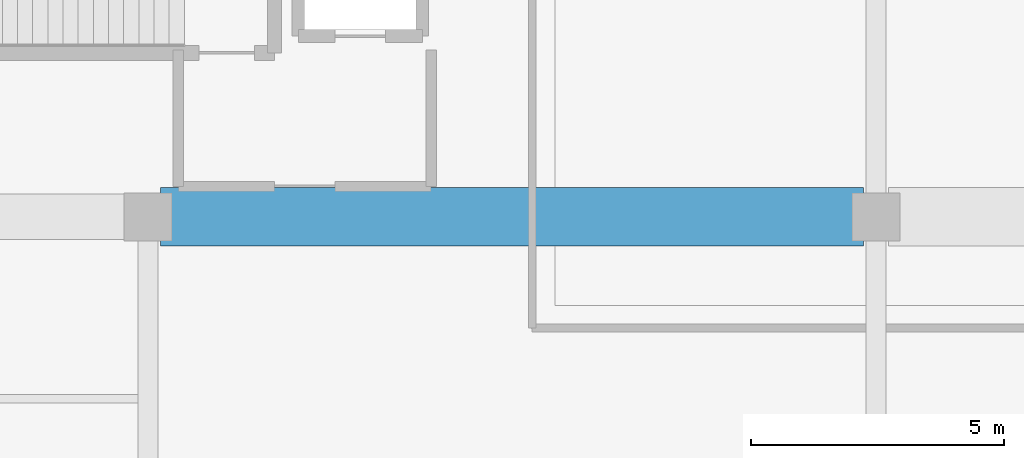
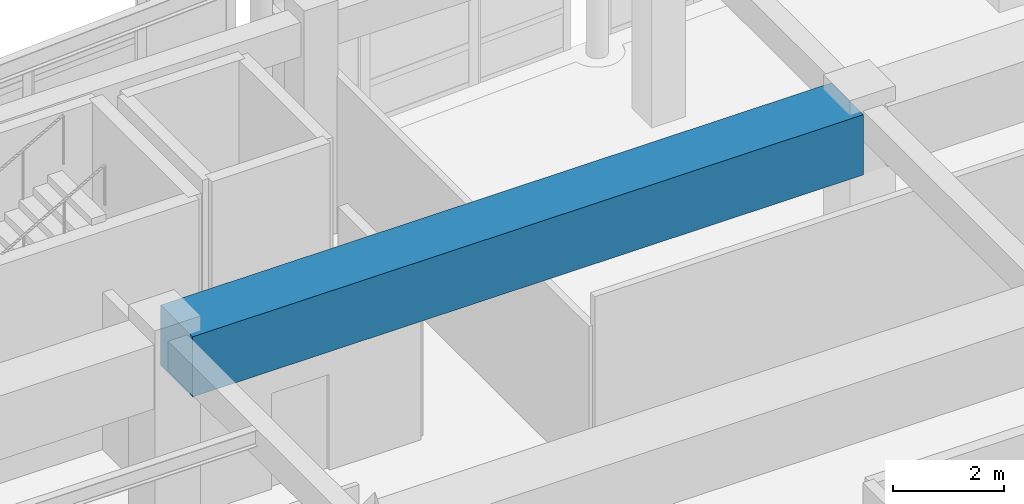
# One storey, part 32 of 117: 1 beam.
"""IFC4 building model written with IfcOpenShell, lengths in metres."""

from ifc_helpers import new_model, si_unit, direction, frame, origin, origin_2d, place, context, subcontext, project, spatial, rectangle, extrude, material, material_profile, profile_set, type_object, element, save


model = new_model("IFC4")

# Units and contexts
model_context = context("Model", 3, precision=1e-05, world=origin(), true_north=direction((0.0, 1.0)))
body_context = subcontext(model_context, "Body", "Model", "MODEL_VIEW")
ifc_project = project(units=[si_unit("LENGTHUNIT", "METRE"), si_unit("AREAUNIT", "SQUARE_METRE"), si_unit("VOLUMEUNIT", "CUBIC_METRE"), si_unit("PLANEANGLEUNIT", "RADIAN"), si_unit("MASSUNIT", "GRAM", prefix="KILO")], contexts=[model_context])

# Site, building, storey
site_placement = place(None, origin())
site = spatial("IfcSite", under=ifc_project, at=site_placement, CompositionType="ELEMENT")
building_placement = place(site_placement, origin())
building = spatial("IfcBuilding", under=site, at=building_placement, Name="Carrowvane Square Congress Hotel", CompositionType="ELEMENT")
storey_placement = place(building_placement, frame((0.0, 0.0, 5.39990234375)))
storey = spatial("IfcBuildingStorey", under=building, at=storey_placement, Name="L01", CompositionType="ELEMENT", Elevation=5.39990234375)

# Beam
ifc_material = material(Name="Concrete C40/50", Category="concrete")
ifc_material_profile = material_profile(ifc_material, rectangle(XDim=1.14990234375, YDim=1.320068359375, at=origin_2d()), Name="RC 1150x1320")
ifc_profile_set = profile_set([ifc_material_profile], Name="Concrete C40/50")
beam_type = type_object("IfcBeamType", Name="TG-RC-1000x1650", PredefinedType="USERDEFINED", material=ifc_profile_set)
beam_placement = place(storey_placement, frame((62.25, 106.199951171875, 4.1201171875), z_axis=(1.0, 0.0, 0.0), x_axis=(0.0, 1.0, 0.0)))
element("IfcBeam", 1, at=beam_placement, inside=storey, type_object=beam_type, Name="L02 transfer girder 8-10/Q", ObjectType="GIRDER", PredefinedType="USERDEFINED", context=body_context, shape_type="SweptSolid", body=[
    extrude(rectangle(XDim=1.14990234375, YDim=1.320068359375, at=origin_2d()), origin(), (0.0, 0.0, 1.0), 13.89990234375),
])

save(model, "model.ifc")
